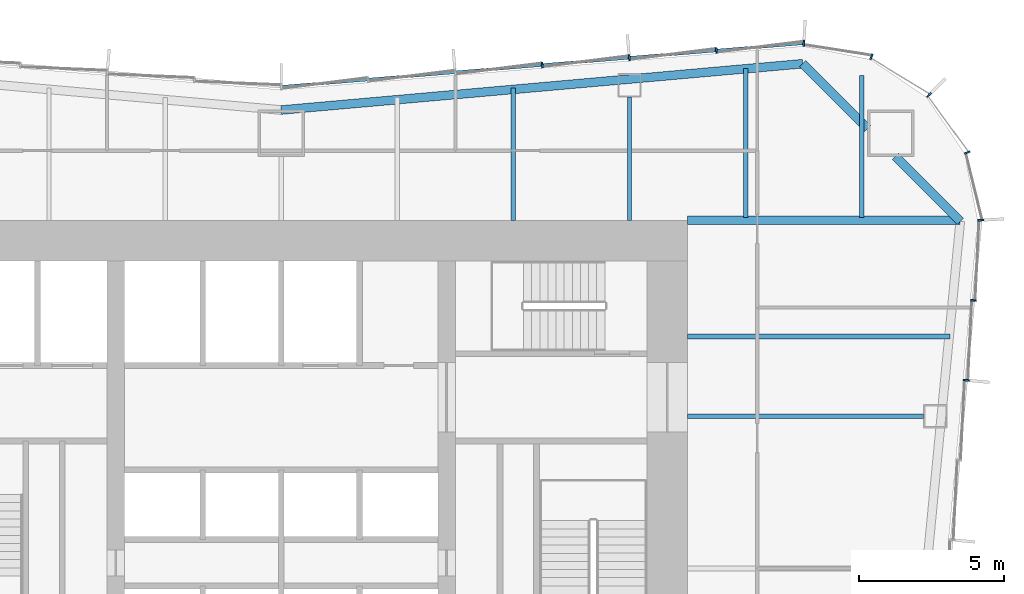
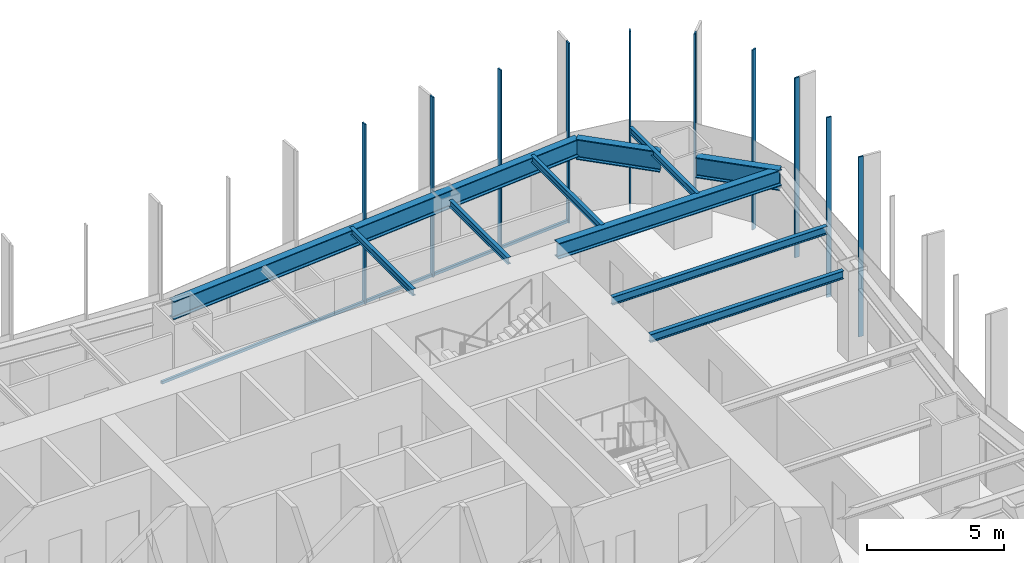
# One storey, part 7 of 13: 11 members, 10 beams, 3 elements without a shape of their own.
"""IFC4 building model written with IfcOpenShell, lengths in metres."""

from ifc_helpers import new_model, si_unit, direction, frame, origin, origin_2d, place, context, subcontext, project, spatial, rectangle, i_section, extrude, material, material_profile, profile_set, type_object, element, aggregate, save


model = new_model("IFC4")

# Units and contexts
model_context = context("Model", 3, precision=1e-05, world=origin(), true_north=direction((0.0, 1.0)))
body_context = subcontext(model_context, "Body", "Model", "MODEL_VIEW")
ifc_project = project(units=[si_unit("LENGTHUNIT", "METRE"), si_unit("AREAUNIT", "SQUARE_METRE"), si_unit("VOLUMEUNIT", "CUBIC_METRE"), si_unit("PLANEANGLEUNIT", "RADIAN"), si_unit("MASSUNIT", "GRAM", prefix="KILO")], contexts=[model_context])

# Site, building, storey
site_placement = place(None, origin())
site = spatial("IfcSite", under=ifc_project, at=site_placement, CompositionType="ELEMENT")
building_placement = place(site_placement, origin())
building = spatial("IfcBuilding", under=site, at=building_placement, Name="Verdant Reach Tower", CompositionType="ELEMENT")
storey_placement = place(building_placement, frame((0.0, 0.0, 50.0)))
storey = spatial("IfcBuildingStorey", under=building, at=storey_placement, Name="L11", CompositionType="ELEMENT", Elevation=50.0)

# Curtain wall, members
ifc_material_1 = material(Name="Anodised aluminium", Category="aluminium")
curtain_wall_type = type_object("IfcCurtainWallType", Name="EN-CW SYSTEM Z0", PredefinedType="NOTDEFINED", material=ifc_material_1)
curtain_wall_1_placement = place(storey_placement, origin())
curtain_wall_1 = element("IfcCurtainWall", 1, at=curtain_wall_1_placement, inside=storey, type_object=curtain_wall_type, Name="Curtain wall east, L11", PredefinedType="NOTDEFINED")
ifc_material_profile_1 = material_profile(ifc_material_1, rectangle(XDim=0.199951171875, YDim=0.06005859375, at=origin_2d()), Name="Mullion 60x200")
ifc_profile_set_1 = profile_set([ifc_material_profile_1], Name="Anodised aluminium")
member_type_1 = type_object("IfcMemberType", Name="EN-MULLION Z0", PredefinedType="MULLION", material=ifc_profile_set_1)
member_1_placement = place(storey_placement, frame((23.599609375, 33.490966796875, -0.35009765625), z_axis=(0.0, 0.0, 1.0), x_axis=(0.995893206467, -0.090535746047, 0.0)))
member_1 = element("IfcMember", 2, at=member_1_placement, type_object=member_type_1, Name="Mullion east face part 2 5, L11", PredefinedType="MULLION", context=body_context, shape_type="SweptSolid", body=[
    extrude(rectangle(XDim=0.199951171875, YDim=0.06005859375, at=origin_2d()), origin(), (0.0, 0.0, 1.0), 8.0),
])
member_2_placement = place(storey_placement, frame((23.849609375, 36.240966796875, -0.35009765625), z_axis=(0.0, 0.0, 1.0), x_axis=(0.995893206467, -0.090535746047, 0.0)))
member_2 = element("IfcMember", 3, at=member_2_placement, type_object=member_type_1, Name="Mullion east face part 2 6, L11", PredefinedType="MULLION", context=body_context, shape_type="SweptSolid", body=[
    extrude(rectangle(XDim=0.199951171875, YDim=0.06005859375, at=origin_2d()), origin(), (0.0, 0.0, 1.0), 8.0),
])
aggregate(curtain_wall_1, [member_1, member_2])

curtain_wall_2_placement = place(storey_placement, origin())
curtain_wall_2 = element("IfcCurtainWall", 4, at=curtain_wall_2_placement, inside=storey, type_object=curtain_wall_type, Name="Curtain wall north-east corner, L11", PredefinedType="NOTDEFINED")
member_3_placement = place(storey_placement, frame((24.099853515625, 39.00537109375, -0.35009765625), z_axis=(0.0, 0.0, 1.0), x_axis=(0.998604288049, 0.052815489107, 0.0)))
member_3 = element("IfcMember", 5, at=member_3_placement, type_object=member_type_1, Name="Mullion north-east corner 1, L11", PredefinedType="MULLION", context=body_context, shape_type="SweptSolid", body=[
    extrude(rectangle(XDim=0.199951171875, YDim=0.06005859375, at=origin_2d()), origin(), (0.0, 0.0, 1.0), 8.0),
])
member_4_placement = place(storey_placement, frame((23.6357421875, 41.33447265625, -0.35009765625), z_axis=(0.0, 0.0, 1.0), x_axis=(0.923875215753, 0.382693853776, 0.0)))
member_4 = element("IfcMember", 6, at=member_4_placement, type_object=member_type_1, Name="Mullion north-east corner 2, L11", PredefinedType="MULLION", context=body_context, shape_type="SweptSolid", body=[
    extrude(rectangle(XDim=0.199951171875, YDim=0.06005859375, at=origin_2d()), origin(), (0.0, 0.0, 1.0), 8.0),
])
member_5_placement = place(storey_placement, frame((22.313232421875, 43.313232421875, -0.35009765625), z_axis=(0.0, 0.0, 1.0), x_axis=(0.707106781187, 0.707106781187, 0.0)))
member_5 = element("IfcMember", 7, at=member_5_placement, type_object=member_type_1, Name="Mullion north-east corner 3, L11", PredefinedType="MULLION", context=body_context, shape_type="SweptSolid", body=[
    extrude(rectangle(XDim=0.199951171875, YDim=0.06005859375, at=origin_2d()), origin(), (0.0, 0.0, 1.0), 8.0),
])
member_6_placement = place(storey_placement, frame((20.33447265625, 44.6357421875, -0.35009765625), z_axis=(0.0, 0.0, 1.0), x_axis=(0.382693853776, 0.923875215753, 0.0)))
member_6 = element("IfcMember", 8, at=member_6_placement, type_object=member_type_1, Name="Mullion north-east corner 4, L11", PredefinedType="MULLION", context=body_context, shape_type="SweptSolid", body=[
    extrude(rectangle(XDim=0.199951171875, YDim=0.06005859375, at=origin_2d()), origin(), (0.0, 0.0, 1.0), 8.0),
])
aggregate(curtain_wall_2, [member_3, member_4, member_5, member_6])

curtain_wall_3_placement = place(storey_placement, origin())
curtain_wall_3 = element("IfcCurtainWall", 9, at=curtain_wall_3_placement, inside=storey, type_object=curtain_wall_type, Name="Curtain wall north, L11", PredefinedType="NOTDEFINED")
member_7_placement = place(storey_placement, frame((18.005615234375, 45.099853515625, -0.35009765625), z_axis=(0.0, 0.0, 1.0), x_axis=(0.056569187765, 0.998398681387, 0.0)))
member_7 = element("IfcMember", 10, at=member_7_placement, type_object=member_type_1, Name="Mullion north face part 1 1, L11", PredefinedType="MULLION", context=body_context, shape_type="SweptSolid", body=[
    extrude(rectangle(XDim=0.199951171875, YDim=0.06005859375, at=origin_2d()), origin(), (0.0, 0.0, 1.0), 8.0),
])
member_8_placement = place(storey_placement, frame((14.99169921875, 44.849609375, -0.35009765625), z_axis=(0.0, 0.0, 1.0), x_axis=(-0.083045479859, 0.996545758244, 0.0)))
member_8 = element("IfcMember", 11, at=member_8_placement, type_object=member_type_1, Name="Mullion north face part 1 2, L11", PredefinedType="MULLION", context=body_context, shape_type="SweptSolid", body=[
    extrude(rectangle(XDim=0.199951171875, YDim=0.06005859375, at=origin_2d()), origin(), (0.0, 0.0, 1.0), 8.0),
])
member_9_placement = place(storey_placement, frame((11.99169921875, 44.599609375, -0.35009765625), z_axis=(0.0, 0.0, 1.0), x_axis=(-0.083045479859, 0.996545758244, 0.0)))
member_9 = element("IfcMember", 12, at=member_9_placement, type_object=member_type_1, Name="Mullion north face part 1 3, L11", PredefinedType="MULLION", context=body_context, shape_type="SweptSolid", body=[
    extrude(rectangle(XDim=0.199951171875, YDim=0.06005859375, at=origin_2d()), origin(), (0.0, 0.0, 1.0), 8.0),
])
member_10_placement = place(storey_placement, frame((8.99169921875, 44.349609375, -0.35009765625), z_axis=(0.0, 0.0, 1.0), x_axis=(-0.083045479859, 0.996545758244, 0.0)))
member_10 = element("IfcMember", 13, at=member_10_placement, type_object=member_type_1, Name="Mullion north face part 1 4, L11", PredefinedType="MULLION", context=body_context, shape_type="SweptSolid", body=[
    extrude(rectangle(XDim=0.199951171875, YDim=0.06005859375, at=origin_2d()), origin(), (0.0, 0.0, 1.0), 8.0),
])
ifc_material_profile_2 = material_profile(ifc_material_1, rectangle(XDim=0.10009765625, YDim=0.1201171875, at=origin_2d()), Name="Transom 120x100")
ifc_profile_set_2 = profile_set([ifc_material_profile_2], Name="Anodised aluminium")
member_type_2 = type_object("IfcMemberType", Name="EN-TRANSOM Z0", PredefinedType="USERDEFINED", material=ifc_profile_set_2)
member_11_placement = place(storey_placement, frame((17.975830078125, 45.097412109375, -0.2900390625), z_axis=(-0.996548656072, -0.083010698588, 0.0), x_axis=(0.083010698588, -0.996548656072, 0.0)))
member_11 = element("IfcMember", 14, at=member_11_placement, type_object=member_type_2, Name="Transom north face part 1 1.1, L11", ObjectType="TRANSOM", PredefinedType="USERDEFINED", context=body_context, shape_type="SweptSolid", body=[
    extrude(rectangle(XDim=0.10009765625, YDim=0.1201171875, at=origin_2d()), origin(), (0.0, 0.0, 1.0), 18.00830078125),
])
aggregate(curtain_wall_3, [member_7, member_8, member_9, member_10, member_11])

# Beams
ifc_material_2 = material(Name="Steel S355", Category="steel")
ifc_material_profile_3 = material_profile(ifc_material_2, i_section(OverallWidth=0.300048828125, OverallDepth=0.699951171875, WebThickness=0.01708984375, FlangeThickness=0.031982421875, FilletRadius=0.027099609375, at=origin_2d()), Name="HEB 700")
ifc_profile_set_3 = profile_set([ifc_material_profile_3], Name="Steel S355")
beam_type_1 = type_object("IfcBeamType", Name="ST-BEAM-HEB700", PredefinedType="BEAM", material=ifc_profile_set_3)
beam_1_placement = place(storey_placement, frame((14.0, 39.0, 3.52001953125), z_axis=(1.0, 0.0, 0.0), x_axis=(0.0, 1.0, 0.0)))
element("IfcBeam", 15, at=beam_1_placement, inside=storey, type_object=beam_type_1, Name="Trimmer beam, L11", PredefinedType="BEAM", context=body_context, shape_type="SweptSolid", body=[
    extrude(i_section(OverallWidth=0.300048828125, OverallDepth=0.699951171875, WebThickness=0.01708984375, FlangeThickness=0.031982421875, FilletRadius=0.027099609375, at=origin_2d()), origin(), (0.0, 0.0, 1.0), 9.38818359375),
])
ifc_material_profile_4 = material_profile(ifc_material_2, i_section(OverallWidth=0.14990234375, OverallDepth=0.300048828125, WebThickness=0.007080078125, FlangeThickness=0.0107421875, FilletRadius=0.014892578125, at=origin_2d()), Name="IPE 300")
ifc_profile_set_4 = profile_set([ifc_material_profile_4], Name="Steel S355")
beam_type_2 = type_object("IfcBeamType", Name="ST-JOIST-IPE300", PredefinedType="JOIST", material=ifc_profile_set_4)
beam_2_placement = place(storey_placement, frame((8.0, 39.0, 3.719970703125), z_axis=(0.0, 1.0, 0.0), x_axis=(-1.0, 0.0, 0.0)))
element("IfcBeam", 16, at=beam_2_placement, inside=storey, type_object=beam_type_2, Name="Floor joist, L11", PredefinedType="JOIST", context=body_context, shape_type="SweptSolid", body=[
    extrude(i_section(OverallWidth=0.14990234375, OverallDepth=0.300048828125, WebThickness=0.007080078125, FlangeThickness=0.0107421875, FilletRadius=0.014892578125, at=origin_2d()), origin(), (0.0, 0.0, 1.0), 4.564697265625),
])
beam_3_placement = place(storey_placement, frame((12.0, 39.0, 3.719970703125), z_axis=(0.0, 1.0, 0.0), x_axis=(-1.0, 0.0, 0.0)))
element("IfcBeam", 17, at=beam_3_placement, inside=storey, type_object=beam_type_2, Name="Floor joist, L11", PredefinedType="JOIST", context=body_context, shape_type="SweptSolid", body=[
    extrude(i_section(OverallWidth=0.14990234375, OverallDepth=0.300048828125, WebThickness=0.007080078125, FlangeThickness=0.0107421875, FilletRadius=0.014892578125, at=origin_2d()), origin(), (0.0, 0.0, 1.0), 4.25),
])
beam_4_placement = place(storey_placement, frame((16.0, 39.10009765625, 3.719970703125), z_axis=(0.0, 1.0, 0.0), x_axis=(-1.0, 0.0, 0.0)))
element("IfcBeam", 18, at=beam_4_placement, inside=storey, type_object=beam_type_2, Name="Floor joist, L11", PredefinedType="JOIST", context=body_context, shape_type="SweptSolid", body=[
    extrude(i_section(OverallWidth=0.14990234375, OverallDepth=0.300048828125, WebThickness=0.007080078125, FlangeThickness=0.0107421875, FilletRadius=0.014892578125, at=origin_2d()), origin(), (0.0, 0.0, 1.0), 5.131103515625),
])
beam_5_placement = place(storey_placement, frame((20.0, 39.10009765625, 3.719970703125), z_axis=(0.0, 1.0, 0.0), x_axis=(-1.0, 0.0, 0.0)))
element("IfcBeam", 19, at=beam_5_placement, inside=storey, type_object=beam_type_2, Name="Floor joist, L11", PredefinedType="JOIST", context=body_context, shape_type="SweptSolid", body=[
    extrude(i_section(OverallWidth=0.14990234375, OverallDepth=0.300048828125, WebThickness=0.007080078125, FlangeThickness=0.0107421875, FilletRadius=0.014892578125, at=origin_2d()), origin(), (0.0, 0.0, 1.0), 4.890380859375),
])
ifc_material_profile_5 = material_profile(ifc_material_2, i_section(OverallWidth=0.169921875, OverallDepth=0.360107421875, WebThickness=0.008056640625, FlangeThickness=0.0126953125, FilletRadius=0.01806640625, at=origin_2d()), Name="IPE 360")
ifc_profile_set_5 = profile_set([ifc_material_profile_5], Name="Steel S355")
beam_type_3 = type_object("IfcBeamType", Name="ST-JOIST-IPE360", PredefinedType="JOIST", material=ifc_profile_set_5)
beam_6_placement = place(storey_placement, frame((14.0, 32.25, 3.68994140625), z_axis=(1.0, 0.0, 0.0), x_axis=(0.0, 1.0, 0.0)))
element("IfcBeam", 20, at=beam_6_placement, inside=storey, type_object=beam_type_3, Name="Floor joist, L11", PredefinedType="JOIST", context=body_context, shape_type="SweptSolid", body=[
    extrude(i_section(OverallWidth=0.169921875, OverallDepth=0.360107421875, WebThickness=0.008056640625, FlangeThickness=0.0126953125, FilletRadius=0.01806640625, at=origin_2d()), origin(), (0.0, 0.0, 1.0), 8.136474609375),
])
beam_7_placement = place(storey_placement, frame((14.0, 35.0, 3.68994140625), z_axis=(1.0, 0.0, 0.0), x_axis=(0.0, 1.0, 0.0)))
element("IfcBeam", 21, at=beam_7_placement, inside=storey, type_object=beam_type_3, Name="Floor joist, L11", PredefinedType="JOIST", context=body_context, shape_type="SweptSolid", body=[
    extrude(i_section(OverallWidth=0.169921875, OverallDepth=0.360107421875, WebThickness=0.008056640625, FlangeThickness=0.0126953125, FilletRadius=0.01806640625, at=origin_2d()), origin(), (0.0, 0.0, 1.0), 9.033935546875),
])
ifc_material_profile_6 = material_profile(ifc_material_2, i_section(OverallWidth=0.300048828125, OverallDepth=0.800048828125, WebThickness=0.017578125, FlangeThickness=0.032958984375, FilletRadius=0.030029296875, at=origin_2d()), Name="HEB 800")
ifc_profile_set_6 = profile_set([ifc_material_profile_6], Name="Steel S355")
beam_type_4 = type_object("IfcBeamType", Name="ST-SPANDREL-HEB800", PredefinedType="SPANDREL", material=ifc_profile_set_6)
beam_8_placement = place(storey_placement, frame((0.0, 42.800048828125, 3.469970703125), z_axis=(0.996082370463, 0.088430262084, 0.0), x_axis=(-0.088430262084, 0.996082370463, 0.0)))
element("IfcBeam", 22, at=beam_8_placement, inside=storey, type_object=beam_type_4, Name="Edge beam, L11", PredefinedType="SPANDREL", context=body_context, shape_type="SweptSolid", body=[
    extrude(i_section(OverallWidth=0.300048828125, OverallDepth=0.800048828125, WebThickness=0.017578125, FlangeThickness=0.032958984375, FilletRadius=0.030029296875, at=origin_2d()), origin(), (0.0, 0.0, 1.0), 18.036376953125),
])
ifc_material_profile_7 = material_profile(ifc_material_2, i_section(OverallWidth=0.302001953125, OverallDepth=0.909912109375, WebThickness=0.02099609375, FlangeThickness=0.0400390625, FilletRadius=0.030029296875, at=origin_2d()), Name="HEM 900")
ifc_profile_set_7 = profile_set([ifc_material_profile_7], Name="Steel S355")
beam_type_5 = type_object("IfcBeamType", Name="ST-SPANDREL-HEM900", PredefinedType="SPANDREL", material=ifc_profile_set_7)
beam_9_placement = place(storey_placement, frame((17.9658203125, 44.39501953125, 3.4150390625), z_axis=(0.707222697162, -0.706990846206, 0.0), x_axis=(0.706990846206, 0.707222697162, 0.0)))
element("IfcBeam", 23, at=beam_9_placement, inside=storey, type_object=beam_type_5, Name="Edge beam, L11", PredefinedType="SPANDREL", context=body_context, shape_type="SweptSolid", body=[
    extrude(i_section(OverallWidth=0.302001953125, OverallDepth=0.909912109375, WebThickness=0.02099609375, FlangeThickness=0.0400390625, FilletRadius=0.030029296875, at=origin_2d()), origin(), (0.0, 0.0, 1.0), 3.158935546875),
])
beam_10_placement = place(storey_placement, frame((21.161865234375, 41.199951171875, 3.4150390625), z_axis=(0.70722277322, -0.706990770123, 0.0), x_axis=(0.706990770123, 0.70722277322, 0.0)))
element("IfcBeam", 24, at=beam_10_placement, inside=storey, type_object=beam_type_5, Name="Edge beam, L11", PredefinedType="SPANDREL", context=body_context, shape_type="SweptSolid", body=[
    extrude(i_section(OverallWidth=0.302001953125, OverallDepth=0.909912109375, WebThickness=0.02099609375, FlangeThickness=0.0400390625, FilletRadius=0.030029296875, at=origin_2d()), origin(), (0.0, 0.0, 1.0), 3.156982421875),
])

save(model, "model.ifc")
